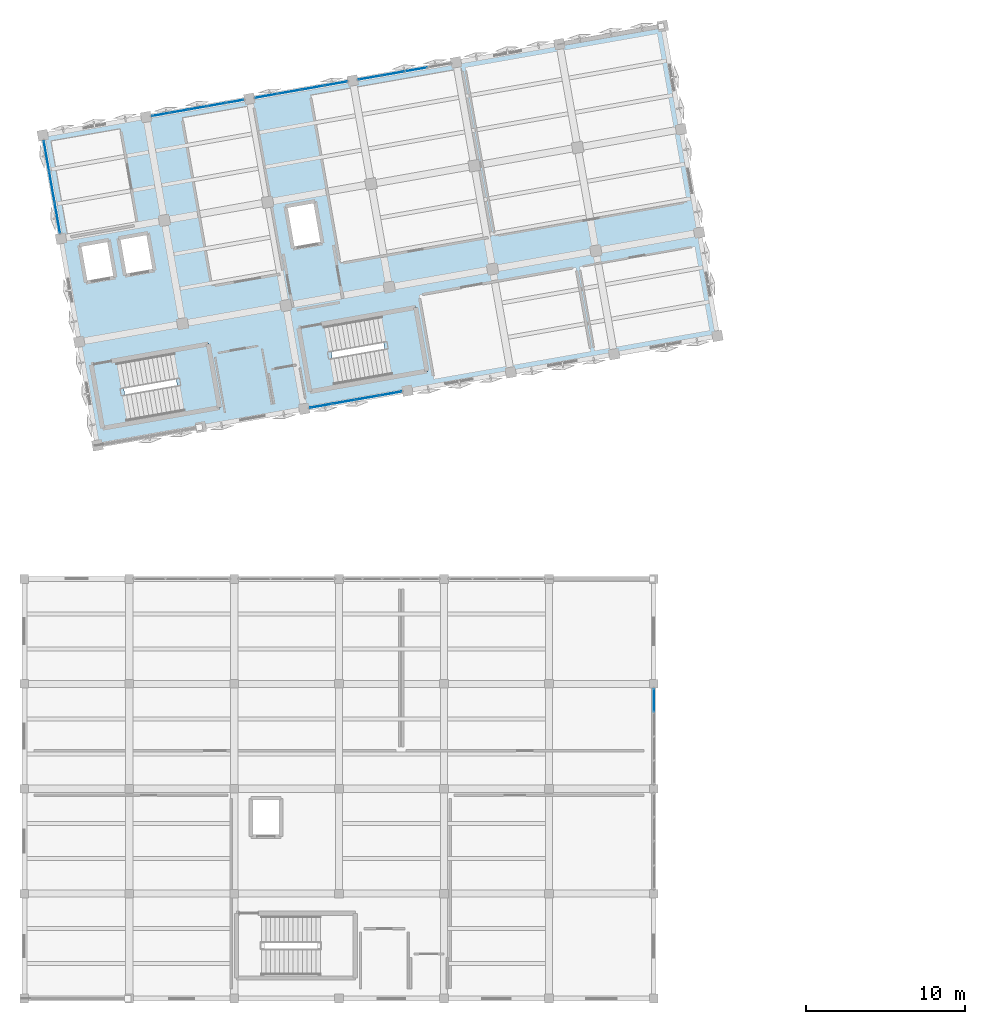
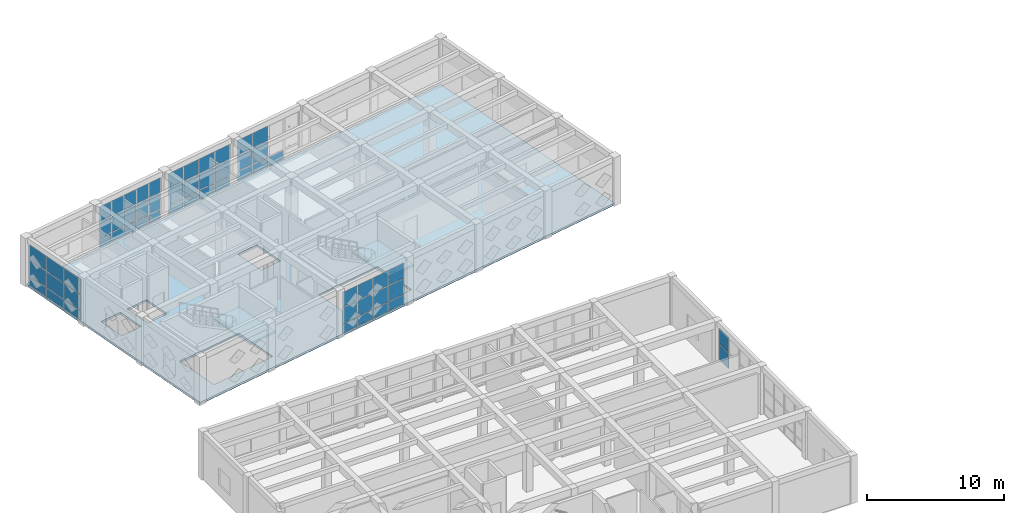
# One storey, part 28 of 48: 57 plates, 3 slabs, 8 elements without a shape of their own.
"""IFC4 building model written with IfcOpenShell, lengths in metres."""

from ifc_helpers import new_model, si_unit, direction, frame, origin, origin_2d, place, context, subcontext, project, spatial, polyline, rectangle, outline, extrude, material, layer, layer_set, type_object, element, aggregate, save


model = new_model("IFC4")

# Units and contexts
model_context = context("Model", 3, precision=1e-05, world=origin(), true_north=direction((0.0, 1.0)))
body_context = subcontext(model_context, "Body", "Model", "MODEL_VIEW")
ifc_project = project(units=[si_unit("LENGTHUNIT", "METRE"), si_unit("AREAUNIT", "SQUARE_METRE"), si_unit("VOLUMEUNIT", "CUBIC_METRE"), si_unit("PLANEANGLEUNIT", "RADIAN"), si_unit("MASSUNIT", "GRAM", prefix="KILO")], contexts=[model_context])

# Site, building, storey
site_placement = place(None, origin())
site = spatial("IfcSite", under=ifc_project, at=site_placement, CompositionType="ELEMENT")
building_placement = place(site_placement, origin())
building = spatial("IfcBuilding", under=site, at=building_placement, Name="Kharisveld Research Institute", CompositionType="ELEMENT")
storey_placement = place(building_placement, frame((0.0, 0.0, 14.10009765625)))
storey = spatial("IfcBuildingStorey", under=building, at=storey_placement, Name="L03", CompositionType="ELEMENT", Elevation=14.10009765625)

# Curtain wall, plates
ifc_material_1 = material(Name="Thermally Broken Aluminium Curtain Wall", Category="aluminium")
ifc_layer_1 = layer(ifc_material_1, 0.159912109375)
ifc_layer_set_1 = layer_set([ifc_layer_1], Name="CW_SYS_06")
curtain_wall_type_1 = type_object("IfcCurtainWallType", Name="CW_SYS_06", PredefinedType="NOTDEFINED", material=ifc_layer_set_1)
curtain_wall_1_placement = place(storey_placement, origin())
curtain_wall_1 = element("IfcCurtainWall", 1, at=curtain_wall_1_placement, inside=storey, type_object=curtain_wall_type_1, Name="CW:V1:L03:W2", PredefinedType="NOTDEFINED")
ifc_material_2 = material(Name="Low-E Double Glazing", Category="glass")
ifc_layer_2 = layer(ifc_material_2, 0.028076171875)
ifc_layer_set_2 = layer_set([ifc_layer_2], Name="CW_PNL_GLZ")
plate_type_1 = type_object("IfcPlateType", Name="CW_PNL_GLZ", PredefinedType="CURTAIN_PANEL", material=ifc_layer_set_2)
plate_1_placement = place(storey_placement, frame((2.6767578125, 49.320068359375, 0.06494140625), z_axis=(0.0, 0.0, 1.0), x_axis=(-0.173648266375, 0.984807737371, 0.0)))
plate_1 = element("IfcPlate", 2, at=plate_1_placement, type_object=plate_type_1, Name="CW-06 panel 1.1", PredefinedType="CURTAIN_PANEL", context=body_context, shape_type="SweptSolid", body=[
    extrude(rectangle(XDim=1.881591796875, YDim=0.028076171875, at=origin_2d()), origin(), (0.0, 0.0, 1.0), 0.802490234375),
])
plate_2_placement = place(storey_placement, frame((2.6767578125, 49.320068359375, 0.9326171875), z_axis=(0.0, 0.0, 1.0), x_axis=(-0.173648266375, 0.984807737371, 0.0)))
plate_2 = element("IfcPlate", 3, at=plate_2_placement, type_object=plate_type_1, Name="CW-06 panel 1.2", PredefinedType="CURTAIN_PANEL", context=body_context, shape_type="SweptSolid", body=[
    extrude(rectangle(XDim=1.881591796875, YDim=0.028076171875, at=origin_2d()), origin(), (0.0, 0.0, 1.0), 1.385009765625),
])
plate_3_placement = place(storey_placement, frame((2.6767578125, 49.320068359375, 2.38232421875), z_axis=(0.0, 0.0, 1.0), x_axis=(-0.173648266375, 0.984807737371, 0.0)))
plate_3 = element("IfcPlate", 4, at=plate_3_placement, type_object=plate_type_1, Name="CW-06 panel 1.3", PredefinedType="CURTAIN_PANEL", context=body_context, shape_type="SweptSolid", body=[
    extrude(rectangle(XDim=1.881591796875, YDim=0.028076171875, at=origin_2d()), origin(), (0.0, 0.0, 1.0), 1.33251953125),
])
plate_4_placement = place(storey_placement, frame((2.334716796875, 51.25927734375, 0.06494140625), z_axis=(0.0, 0.0, 1.0), x_axis=(-0.173648266375, 0.984807737371, 0.0)))
plate_4 = element("IfcPlate", 5, at=plate_4_placement, type_object=plate_type_1, Name="CW-06 panel 2.1", PredefinedType="CURTAIN_PANEL", context=body_context, shape_type="SweptSolid", body=[
    extrude(rectangle(XDim=1.916748046875, YDim=0.028076171875, at=origin_2d()), origin(), (0.0, 0.0, 1.0), 0.802490234375),
])
plate_5_placement = place(storey_placement, frame((2.334716796875, 51.25927734375, 0.9326171875), z_axis=(0.0, 0.0, 1.0), x_axis=(-0.173648266375, 0.984807737371, 0.0)))
plate_5 = element("IfcPlate", 6, at=plate_5_placement, type_object=plate_type_1, Name="CW-06 panel 2.2", PredefinedType="CURTAIN_PANEL", context=body_context, shape_type="SweptSolid", body=[
    extrude(rectangle(XDim=1.916748046875, YDim=0.028076171875, at=origin_2d()), origin(), (0.0, 0.0, 1.0), 1.385009765625),
])
plate_6_placement = place(storey_placement, frame((2.334716796875, 51.25927734375, 2.38232421875), z_axis=(0.0, 0.0, 1.0), x_axis=(-0.173648266375, 0.984807737371, 0.0)))
plate_6 = element("IfcPlate", 7, at=plate_6_placement, type_object=plate_type_1, Name="CW-06 panel 2.3", PredefinedType="CURTAIN_PANEL", context=body_context, shape_type="SweptSolid", body=[
    extrude(rectangle(XDim=1.916748046875, YDim=0.028076171875, at=origin_2d()), origin(), (0.0, 0.0, 1.0), 1.33251953125),
])
plate_7_placement = place(storey_placement, frame((1.992919921875, 53.198486328125, 0.06494140625), z_axis=(0.0, 0.0, 1.0), x_axis=(-0.173648266375, 0.984807737371, 0.0)))
plate_7 = element("IfcPlate", 8, at=plate_7_placement, type_object=plate_type_1, Name="CW-06 panel 3.1", PredefinedType="CURTAIN_PANEL", context=body_context, shape_type="SweptSolid", body=[
    extrude(rectangle(XDim=1.881591796875, YDim=0.028076171875, at=origin_2d()), origin(), (0.0, 0.0, 1.0), 0.802490234375),
])
plate_8_placement = place(storey_placement, frame((1.992919921875, 53.198486328125, 0.9326171875), z_axis=(0.0, 0.0, 1.0), x_axis=(-0.173648266375, 0.984807737371, 0.0)))
plate_8 = element("IfcPlate", 9, at=plate_8_placement, type_object=plate_type_1, Name="CW-06 panel 3.2", PredefinedType="CURTAIN_PANEL", context=body_context, shape_type="SweptSolid", body=[
    extrude(rectangle(XDim=1.881591796875, YDim=0.028076171875, at=origin_2d()), origin(), (0.0, 0.0, 1.0), 1.385009765625),
])
plate_9_placement = place(storey_placement, frame((1.992919921875, 53.198486328125, 2.38232421875), z_axis=(0.0, 0.0, 1.0), x_axis=(-0.173648266375, 0.984807737371, 0.0)))
plate_9 = element("IfcPlate", 10, at=plate_9_placement, type_object=plate_type_1, Name="CW-06 panel 3.3", PredefinedType="CURTAIN_PANEL", context=body_context, shape_type="SweptSolid", body=[
    extrude(rectangle(XDim=1.881591796875, YDim=0.028076171875, at=origin_2d()), origin(), (0.0, 0.0, 1.0), 1.33251953125),
])
aggregate(curtain_wall_1, [plate_1, plate_2, plate_3, plate_4, plate_5, plate_6, plate_7, plate_8, plate_9])

ifc_material_3 = material(Name="Thermally Broken Aluminium Curtain Wall", Category="aluminium")
ifc_layer_3 = layer(ifc_material_3, 0.159912109375)
ifc_layer_set_3 = layer_set([ifc_layer_3], Name="CW_SYS_01")
curtain_wall_type_2 = type_object("IfcCurtainWallType", Name="CW_SYS_01", PredefinedType="NOTDEFINED", material=ifc_layer_set_3)
curtain_wall_2_placement = place(storey_placement, origin())
curtain_wall_2 = element("IfcCurtainWall", 11, at=curtain_wall_2_placement, inside=storey, type_object=curtain_wall_type_2, Name="CW:V1:L03:N1", PredefinedType="NOTDEFINED")
plate_10_placement = place(storey_placement, frame((9.180908203125, 55.8173828125, 0.06494140625), z_axis=(0.0, 0.0, 1.0), x_axis=(0.984807732312, 0.173648295062, 0.0)))
plate_10 = element("IfcPlate", 12, at=plate_10_placement, type_object=plate_type_1, Name="CW-01 panel 1.1", PredefinedType="CURTAIN_PANEL", context=body_context, shape_type="SweptSolid", body=[
    extrude(rectangle(XDim=1.0869140625, YDim=0.028076171875, at=origin_2d()), origin(), (0.0, 0.0, 1.0), 0.802490234375),
])
plate_11_placement = place(storey_placement, frame((9.180908203125, 55.8173828125, 0.9326171875), z_axis=(0.0, 0.0, 1.0), x_axis=(0.984807732312, 0.173648295062, 0.0)))
plate_11 = element("IfcPlate", 13, at=plate_11_placement, type_object=plate_type_1, Name="CW-01 panel 1.2", PredefinedType="CURTAIN_PANEL", context=body_context, shape_type="SweptSolid", body=[
    extrude(rectangle(XDim=1.0869140625, YDim=0.028076171875, at=origin_2d()), origin(), (0.0, 0.0, 1.0), 1.385009765625),
])
plate_12_placement = place(storey_placement, frame((9.180908203125, 55.8173828125, 2.38232421875), z_axis=(0.0, 0.0, 1.0), x_axis=(0.984807732312, 0.173648295062, 0.0)))
plate_12 = element("IfcPlate", 14, at=plate_12_placement, type_object=plate_type_1, Name="CW-01 panel 1.3", PredefinedType="CURTAIN_PANEL", context=body_context, shape_type="SweptSolid", body=[
    extrude(rectangle(XDim=1.0869140625, YDim=0.028076171875, at=origin_2d()), origin(), (0.0, 0.0, 1.0), 1.33251953125),
])
plate_13_placement = place(storey_placement, frame((10.33740234375, 56.021240234375, 0.06494140625), z_axis=(0.0, 0.0, 1.0), x_axis=(0.984807732312, 0.173648295062, 0.0)))
plate_13 = element("IfcPlate", 15, at=plate_13_placement, type_object=plate_type_1, Name="CW-01 panel 2.1", PredefinedType="CURTAIN_PANEL", context=body_context, shape_type="SweptSolid", body=[
    extrude(rectangle(XDim=1.1220703125, YDim=0.028076171875, at=origin_2d()), origin(), (0.0, 0.0, 1.0), 0.802490234375),
])
plate_14_placement = place(storey_placement, frame((10.33740234375, 56.021240234375, 0.9326171875), z_axis=(0.0, 0.0, 1.0), x_axis=(0.984807732312, 0.173648295062, 0.0)))
plate_14 = element("IfcPlate", 16, at=plate_14_placement, type_object=plate_type_1, Name="CW-01 panel 2.2", PredefinedType="CURTAIN_PANEL", context=body_context, shape_type="SweptSolid", body=[
    extrude(rectangle(XDim=1.1220703125, YDim=0.028076171875, at=origin_2d()), origin(), (0.0, 0.0, 1.0), 1.385009765625),
])
plate_15_placement = place(storey_placement, frame((10.33740234375, 56.021240234375, 2.38232421875), z_axis=(0.0, 0.0, 1.0), x_axis=(0.984807732312, 0.173648295062, 0.0)))
plate_15 = element("IfcPlate", 17, at=plate_15_placement, type_object=plate_type_1, Name="CW-01 panel 2.3", PredefinedType="CURTAIN_PANEL", context=body_context, shape_type="SweptSolid", body=[
    extrude(rectangle(XDim=1.1220703125, YDim=0.028076171875, at=origin_2d()), origin(), (0.0, 0.0, 1.0), 1.33251953125),
])
plate_16_placement = place(storey_placement, frame((11.511474609375, 56.228271484375, 0.06494140625), z_axis=(0.0, 0.0, 1.0), x_axis=(0.984807732312, 0.173648295062, 0.0)))
plate_16 = element("IfcPlate", 18, at=plate_16_placement, type_object=plate_type_1, Name="CW-01 panel 3.1", PredefinedType="CURTAIN_PANEL", context=body_context, shape_type="SweptSolid", body=[
    extrude(rectangle(XDim=1.1220703125, YDim=0.028076171875, at=origin_2d()), origin(), (0.0, 0.0, 1.0), 0.802490234375),
])
plate_17_placement = place(storey_placement, frame((11.511474609375, 56.228271484375, 0.9326171875), z_axis=(0.0, 0.0, 1.0), x_axis=(0.984807732312, 0.173648295062, 0.0)))
plate_17 = element("IfcPlate", 19, at=plate_17_placement, type_object=plate_type_1, Name="CW-01 panel 3.2", PredefinedType="CURTAIN_PANEL", context=body_context, shape_type="SweptSolid", body=[
    extrude(rectangle(XDim=1.1220703125, YDim=0.028076171875, at=origin_2d()), origin(), (0.0, 0.0, 1.0), 1.385009765625),
])
plate_18_placement = place(storey_placement, frame((11.511474609375, 56.228271484375, 2.38232421875), z_axis=(0.0, 0.0, 1.0), x_axis=(0.984807732312, 0.173648295062, 0.0)))
plate_18 = element("IfcPlate", 20, at=plate_18_placement, type_object=plate_type_1, Name="CW-01 panel 3.3", PredefinedType="CURTAIN_PANEL", context=body_context, shape_type="SweptSolid", body=[
    extrude(rectangle(XDim=1.1220703125, YDim=0.028076171875, at=origin_2d()), origin(), (0.0, 0.0, 1.0), 1.33251953125),
])
plate_19_placement = place(storey_placement, frame((12.685302734375, 56.435302734375, 0.06494140625), z_axis=(0.0, 0.0, 1.0), x_axis=(0.984807732312, 0.173648295062, 0.0)))
plate_19 = element("IfcPlate", 21, at=plate_19_placement, type_object=plate_type_1, Name="CW-01 panel 4.1", PredefinedType="CURTAIN_PANEL", context=body_context, shape_type="SweptSolid", body=[
    extrude(rectangle(XDim=1.1220703125, YDim=0.028076171875, at=origin_2d()), origin(), (0.0, 0.0, 1.0), 0.802490234375),
])
plate_20_placement = place(storey_placement, frame((12.685302734375, 56.435302734375, 0.9326171875), z_axis=(0.0, 0.0, 1.0), x_axis=(0.984807732312, 0.173648295062, 0.0)))
plate_20 = element("IfcPlate", 22, at=plate_20_placement, type_object=plate_type_1, Name="CW-01 panel 4.2", PredefinedType="CURTAIN_PANEL", context=body_context, shape_type="SweptSolid", body=[
    extrude(rectangle(XDim=1.1220703125, YDim=0.028076171875, at=origin_2d()), origin(), (0.0, 0.0, 1.0), 1.385009765625),
])
plate_21_placement = place(storey_placement, frame((12.685302734375, 56.435302734375, 2.38232421875), z_axis=(0.0, 0.0, 1.0), x_axis=(0.984807732312, 0.173648295062, 0.0)))
plate_21 = element("IfcPlate", 23, at=plate_21_placement, type_object=plate_type_1, Name="CW-01 panel 4.3", PredefinedType="CURTAIN_PANEL", context=body_context, shape_type="SweptSolid", body=[
    extrude(rectangle(XDim=1.1220703125, YDim=0.028076171875, at=origin_2d()), origin(), (0.0, 0.0, 1.0), 1.33251953125),
])
plate_22_placement = place(storey_placement, frame((13.841796875, 56.63916015625, 0.06494140625), z_axis=(0.0, 0.0, 1.0), x_axis=(0.984807732312, 0.173648295062, 0.0)))
plate_22 = element("IfcPlate", 24, at=plate_22_placement, type_object=plate_type_1, Name="CW-01 panel 5.1", PredefinedType="CURTAIN_PANEL", context=body_context, shape_type="SweptSolid", body=[
    extrude(rectangle(XDim=1.0869140625, YDim=0.028076171875, at=origin_2d()), origin(), (0.0, 0.0, 1.0), 0.802490234375),
])
plate_23_placement = place(storey_placement, frame((13.841796875, 56.63916015625, 0.9326171875), z_axis=(0.0, 0.0, 1.0), x_axis=(0.984807732312, 0.173648295062, 0.0)))
plate_23 = element("IfcPlate", 25, at=plate_23_placement, type_object=plate_type_1, Name="CW-01 panel 5.2", PredefinedType="CURTAIN_PANEL", context=body_context, shape_type="SweptSolid", body=[
    extrude(rectangle(XDim=1.0869140625, YDim=0.028076171875, at=origin_2d()), origin(), (0.0, 0.0, 1.0), 1.385009765625),
])
plate_24_placement = place(storey_placement, frame((13.841796875, 56.63916015625, 2.38232421875), z_axis=(0.0, 0.0, 1.0), x_axis=(0.984807732312, 0.173648295062, 0.0)))
plate_24 = element("IfcPlate", 26, at=plate_24_placement, type_object=plate_type_1, Name="CW-01 panel 5.3", PredefinedType="CURTAIN_PANEL", context=body_context, shape_type="SweptSolid", body=[
    extrude(rectangle(XDim=1.0869140625, YDim=0.028076171875, at=origin_2d()), origin(), (0.0, 0.0, 1.0), 1.33251953125),
])
aggregate(curtain_wall_2, [plate_10, plate_11, plate_12, plate_13, plate_14, plate_15, plate_16, plate_17, plate_18, plate_19, plate_20, plate_21, plate_22, plate_23, plate_24])

ifc_material_4 = material(Name="Thermally Broken Aluminium Curtain Wall", Category="aluminium")
ifc_layer_4 = layer(ifc_material_4, 0.159912109375)
ifc_layer_set_4 = layer_set([ifc_layer_4], Name="CW_SYS_02")
curtain_wall_type_3 = type_object("IfcCurtainWallType", Name="CW_SYS_02", PredefinedType="NOTDEFINED", material=ifc_layer_set_4)
curtain_wall_3_placement = place(storey_placement, origin())
curtain_wall_3 = element("IfcCurtainWall", 27, at=curtain_wall_3_placement, inside=storey, type_object=curtain_wall_type_3, Name="CW:V1:L03:N2", PredefinedType="NOTDEFINED")
plate_25_placement = place(storey_placement, frame((15.827392578125, 56.9892578125, 0.06494140625), z_axis=(0.0, 0.0, 1.0), x_axis=(0.984807737371, 0.173648266375, 0.0)))
plate_25 = element("IfcPlate", 28, at=plate_25_placement, type_object=plate_type_1, Name="CW-02 panel 1.1", PredefinedType="CURTAIN_PANEL", context=body_context, shape_type="SweptSolid", body=[
    extrude(rectangle(XDim=1.385009765625, YDim=0.028076171875, at=origin_2d()), origin(), (0.0, 0.0, 1.0), 0.802490234375),
])
plate_26_placement = place(storey_placement, frame((15.827392578125, 56.9892578125, 0.9326171875), z_axis=(0.0, 0.0, 1.0), x_axis=(0.984807737371, 0.173648266375, 0.0)))
plate_26 = element("IfcPlate", 29, at=plate_26_placement, type_object=plate_type_1, Name="CW-02 panel 1.2", PredefinedType="CURTAIN_PANEL", context=body_context, shape_type="SweptSolid", body=[
    extrude(rectangle(XDim=1.385009765625, YDim=0.028076171875, at=origin_2d()), origin(), (0.0, 0.0, 1.0), 1.385009765625),
])
plate_27_placement = place(storey_placement, frame((15.827392578125, 56.9892578125, 2.38232421875), z_axis=(0.0, 0.0, 1.0), x_axis=(0.984807737371, 0.173648266375, 0.0)))
plate_27 = element("IfcPlate", 30, at=plate_27_placement, type_object=plate_type_1, Name="CW-02 panel 1.3", PredefinedType="CURTAIN_PANEL", context=body_context, shape_type="SweptSolid", body=[
    extrude(rectangle(XDim=1.385009765625, YDim=0.028076171875, at=origin_2d()), origin(), (0.0, 0.0, 1.0), 1.33251953125),
])
plate_28_placement = place(storey_placement, frame((17.27734375, 57.2451171875, 0.06494140625), z_axis=(0.0, 0.0, 1.0), x_axis=(0.984807737371, 0.173648266375, 0.0)))
plate_28 = element("IfcPlate", 31, at=plate_28_placement, type_object=plate_type_1, Name="CW-02 panel 2.1", PredefinedType="CURTAIN_PANEL", context=body_context, shape_type="SweptSolid", body=[
    extrude(rectangle(XDim=1.419921875, YDim=0.028076171875, at=origin_2d()), origin(), (0.0, 0.0, 1.0), 0.802490234375),
])
plate_29_placement = place(storey_placement, frame((17.27734375, 57.2451171875, 0.9326171875), z_axis=(0.0, 0.0, 1.0), x_axis=(0.984807737371, 0.173648266375, 0.0)))
plate_29 = element("IfcPlate", 32, at=plate_29_placement, type_object=plate_type_1, Name="CW-02 panel 2.2", PredefinedType="CURTAIN_PANEL", context=body_context, shape_type="SweptSolid", body=[
    extrude(rectangle(XDim=1.419921875, YDim=0.028076171875, at=origin_2d()), origin(), (0.0, 0.0, 1.0), 1.385009765625),
])
plate_30_placement = place(storey_placement, frame((17.27734375, 57.2451171875, 2.38232421875), z_axis=(0.0, 0.0, 1.0), x_axis=(0.984807737371, 0.173648266375, 0.0)))
plate_30 = element("IfcPlate", 33, at=plate_30_placement, type_object=plate_type_1, Name="CW-02 panel 2.3", PredefinedType="CURTAIN_PANEL", context=body_context, shape_type="SweptSolid", body=[
    extrude(rectangle(XDim=1.419921875, YDim=0.028076171875, at=origin_2d()), origin(), (0.0, 0.0, 1.0), 1.33251953125),
])
plate_31_placement = place(storey_placement, frame((18.744873046875, 57.503662109375, 0.06494140625), z_axis=(0.0, 0.0, 1.0), x_axis=(0.984807737371, 0.173648266375, 0.0)))
plate_31 = element("IfcPlate", 34, at=plate_31_placement, type_object=plate_type_1, Name="CW-02 panel 3.1", PredefinedType="CURTAIN_PANEL", context=body_context, shape_type="SweptSolid", body=[
    extrude(rectangle(XDim=1.419921875, YDim=0.028076171875, at=origin_2d()), origin(), (0.0, 0.0, 1.0), 0.802490234375),
])
plate_32_placement = place(storey_placement, frame((18.744873046875, 57.503662109375, 0.9326171875), z_axis=(0.0, 0.0, 1.0), x_axis=(0.984807737371, 0.173648266375, 0.0)))
plate_32 = element("IfcPlate", 35, at=plate_32_placement, type_object=plate_type_1, Name="CW-02 panel 3.2", PredefinedType="CURTAIN_PANEL", context=body_context, shape_type="SweptSolid", body=[
    extrude(rectangle(XDim=1.419921875, YDim=0.028076171875, at=origin_2d()), origin(), (0.0, 0.0, 1.0), 1.385009765625),
])
plate_33_placement = place(storey_placement, frame((18.744873046875, 57.503662109375, 2.38232421875), z_axis=(0.0, 0.0, 1.0), x_axis=(0.984807737371, 0.173648266375, 0.0)))
plate_33 = element("IfcPlate", 36, at=plate_33_placement, type_object=plate_type_1, Name="CW-02 panel 3.3", PredefinedType="CURTAIN_PANEL", context=body_context, shape_type="SweptSolid", body=[
    extrude(rectangle(XDim=1.419921875, YDim=0.028076171875, at=origin_2d()), origin(), (0.0, 0.0, 1.0), 1.33251953125),
])
plate_34_placement = place(storey_placement, frame((20.19482421875, 57.759521484375, 0.06494140625), z_axis=(0.0, 0.0, 1.0), x_axis=(0.984807737371, 0.173648266375, 0.0)))
plate_34 = element("IfcPlate", 37, at=plate_34_placement, type_object=plate_type_1, Name="CW-02 panel 4.1", PredefinedType="CURTAIN_PANEL", context=body_context, shape_type="SweptSolid", body=[
    extrude(rectangle(XDim=1.385009765625, YDim=0.028076171875, at=origin_2d()), origin(), (0.0, 0.0, 1.0), 0.802490234375),
])
plate_35_placement = place(storey_placement, frame((20.19482421875, 57.759521484375, 0.9326171875), z_axis=(0.0, 0.0, 1.0), x_axis=(0.984807737371, 0.173648266375, 0.0)))
plate_35 = element("IfcPlate", 38, at=plate_35_placement, type_object=plate_type_1, Name="CW-02 panel 4.2", PredefinedType="CURTAIN_PANEL", context=body_context, shape_type="SweptSolid", body=[
    extrude(rectangle(XDim=1.385009765625, YDim=0.028076171875, at=origin_2d()), origin(), (0.0, 0.0, 1.0), 1.385009765625),
])
plate_36_placement = place(storey_placement, frame((20.19482421875, 57.759521484375, 2.38232421875), z_axis=(0.0, 0.0, 1.0), x_axis=(0.984807737371, 0.173648266375, 0.0)))
plate_36 = element("IfcPlate", 39, at=plate_36_placement, type_object=plate_type_1, Name="CW-02 panel 4.3", PredefinedType="CURTAIN_PANEL", context=body_context, shape_type="SweptSolid", body=[
    extrude(rectangle(XDim=1.385009765625, YDim=0.028076171875, at=origin_2d()), origin(), (0.0, 0.0, 1.0), 1.33251953125),
])
aggregate(curtain_wall_3, [plate_25, plate_26, plate_27, plate_28, plate_29, plate_30, plate_31, plate_32, plate_33, plate_34, plate_35, plate_36])

ifc_material_5 = material(Name="Thermally Broken Aluminium Curtain Wall", Category="aluminium")
ifc_layer_5 = layer(ifc_material_5, 0.159912109375)
ifc_layer_set_5 = layer_set([ifc_layer_5], Name="CW_SYS_03")
curtain_wall_type_4 = type_object("IfcCurtainWallType", Name="CW_SYS_03", PredefinedType="NOTDEFINED", material=ifc_layer_set_5)
curtain_wall_4_placement = place(storey_placement, origin())
curtain_wall_4 = element("IfcCurtainWall", 40, at=curtain_wall_4_placement, inside=storey, type_object=curtain_wall_type_4, Name="CW:V1:L03:N3", PredefinedType="NOTDEFINED")
plate_37_placement = place(storey_placement, frame((22.326904296875, 58.135498046875, 0.06494140625), z_axis=(0.0, 0.0, 1.0), x_axis=(0.984807732312, 0.173648295062, 0.0)))
plate_37 = element("IfcPlate", 41, at=plate_37_placement, type_object=plate_type_1, Name="CW-03 panel 1.1", PredefinedType="CURTAIN_PANEL", context=body_context, shape_type="SweptSolid", body=[
    extrude(rectangle(XDim=1.385009765625, YDim=0.028076171875, at=origin_2d()), origin(), (0.0, 0.0, 1.0), 0.802490234375),
])
plate_38_placement = place(storey_placement, frame((22.326904296875, 58.135498046875, 0.9326171875), z_axis=(0.0, 0.0, 1.0), x_axis=(0.984807732312, 0.173648295062, 0.0)))
plate_38 = element("IfcPlate", 42, at=plate_38_placement, type_object=plate_type_1, Name="CW-03 panel 1.2", PredefinedType="CURTAIN_PANEL", context=body_context, shape_type="SweptSolid", body=[
    extrude(rectangle(XDim=1.385009765625, YDim=0.028076171875, at=origin_2d()), origin(), (0.0, 0.0, 1.0), 1.385009765625),
])
plate_39_placement = place(storey_placement, frame((22.326904296875, 58.135498046875, 2.38232421875), z_axis=(0.0, 0.0, 1.0), x_axis=(0.984807732312, 0.173648295062, 0.0)))
plate_39 = element("IfcPlate", 43, at=plate_39_placement, type_object=plate_type_1, Name="CW-03 panel 1.3", PredefinedType="CURTAIN_PANEL", context=body_context, shape_type="SweptSolid", body=[
    extrude(rectangle(XDim=1.385009765625, YDim=0.028076171875, at=origin_2d()), origin(), (0.0, 0.0, 1.0), 1.33251953125),
])
plate_40_placement = place(storey_placement, frame((23.777099609375, 58.39111328125, 0.06494140625), z_axis=(0.0, 0.0, 1.0), x_axis=(0.984807732312, 0.173648295062, 0.0)))
plate_40 = element("IfcPlate", 44, at=plate_40_placement, type_object=plate_type_1, Name="CW-03 panel 2.1", PredefinedType="CURTAIN_PANEL", context=body_context, shape_type="SweptSolid", body=[
    extrude(rectangle(XDim=1.419921875, YDim=0.028076171875, at=origin_2d()), origin(), (0.0, 0.0, 1.0), 0.802490234375),
])
plate_41_placement = place(storey_placement, frame((23.777099609375, 58.39111328125, 0.9326171875), z_axis=(0.0, 0.0, 1.0), x_axis=(0.984807732312, 0.173648295062, 0.0)))
plate_41 = element("IfcPlate", 45, at=plate_41_placement, type_object=plate_type_1, Name="CW-03 panel 2.2", PredefinedType="CURTAIN_PANEL", context=body_context, shape_type="SweptSolid", body=[
    extrude(rectangle(XDim=1.419921875, YDim=0.028076171875, at=origin_2d()), origin(), (0.0, 0.0, 1.0), 1.385009765625),
])
plate_42_placement = place(storey_placement, frame((23.777099609375, 58.39111328125, 2.38232421875), z_axis=(0.0, 0.0, 1.0), x_axis=(0.984807732312, 0.173648295062, 0.0)))
plate_42 = element("IfcPlate", 46, at=plate_42_placement, type_object=plate_type_1, Name="CW-03 panel 2.3", PredefinedType="CURTAIN_PANEL", context=body_context, shape_type="SweptSolid", body=[
    extrude(rectangle(XDim=1.419921875, YDim=0.028076171875, at=origin_2d()), origin(), (0.0, 0.0, 1.0), 1.33251953125),
])
plate_43_placement = place(storey_placement, frame((25.24462890625, 58.64990234375, 0.06494140625), z_axis=(0.0, 0.0, 1.0), x_axis=(0.984807732312, 0.173648295062, 0.0)))
plate_43 = element("IfcPlate", 47, at=plate_43_placement, type_object=plate_type_1, Name="CW-03 panel 3.1", PredefinedType="CURTAIN_PANEL", context=body_context, shape_type="SweptSolid", body=[
    extrude(rectangle(XDim=1.419921875, YDim=0.028076171875, at=origin_2d()), origin(), (0.0, 0.0, 1.0), 0.802490234375),
])
aggregate(curtain_wall_4, [plate_37, plate_38, plate_39, plate_40, plate_41, plate_42, plate_43])

ifc_material_6 = material(Name="Thermally Broken Aluminium Curtain Wall", Category="aluminium")
ifc_layer_6 = layer(ifc_material_6, 0.159912109375)
ifc_layer_set_6 = layer_set([ifc_layer_6], Name="CW_SYS_04")
curtain_wall_type_5 = type_object("IfcCurtainWallType", Name="CW_SYS_04", PredefinedType="NOTDEFINED", material=ifc_layer_set_6)
curtain_wall_5_placement = place(storey_placement, origin())
curtain_wall_5 = element("IfcCurtainWall", 48, at=curtain_wall_5_placement, inside=storey, type_object=curtain_wall_type_5, Name="CW:V1:L03:S3", PredefinedType="NOTDEFINED")
ifc_material_7 = material(Name="Insulated Spandrel Glazing", Category="glass")
ifc_layer_7 = layer(ifc_material_7, 0.035888671875)
ifc_layer_set_7 = layer_set([ifc_layer_7], Name="CW_PNL_SPD")
plate_type_2 = type_object("IfcPlateType", Name="CW_PNL_SPD", PredefinedType="CURTAIN_PANEL", material=ifc_layer_set_7)
plate_44_placement = place(storey_placement, frame((23.633056640625, 38.26025390625, 0.06494140625), z_axis=(0.0, 0.0, 1.0), x_axis=(-0.984807737371, -0.173648266375, 0.0)))
plate_44 = element("IfcPlate", 49, at=plate_44_placement, type_object=plate_type_2, Name="CW-04 panel 1.1", PredefinedType="CURTAIN_PANEL", context=body_context, shape_type="SweptSolid", body=[
    extrude(rectangle(XDim=1.385009765625, YDim=0.035888671875, at=origin_2d()), origin(), (0.0, 0.0, 1.0), 0.802490234375),
])
plate_45_placement = place(storey_placement, frame((23.633056640625, 38.26025390625, 0.9326171875), z_axis=(0.0, 0.0, 1.0), x_axis=(-0.984807737371, -0.173648266375, 0.0)))
plate_45 = element("IfcPlate", 50, at=plate_45_placement, type_object=plate_type_2, Name="CW-04 panel 1.2", PredefinedType="CURTAIN_PANEL", context=body_context, shape_type="SweptSolid", body=[
    extrude(rectangle(XDim=1.385009765625, YDim=0.035888671875, at=origin_2d()), origin(), (0.0, 0.0, 1.0), 1.385009765625),
])
plate_46_placement = place(storey_placement, frame((23.633056640625, 38.26025390625, 2.38232421875), z_axis=(0.0, 0.0, 1.0), x_axis=(-0.984807737371, -0.173648266375, 0.0)))
plate_46 = element("IfcPlate", 51, at=plate_46_placement, type_object=plate_type_2, Name="CW-04 panel 1.3", PredefinedType="CURTAIN_PANEL", context=body_context, shape_type="SweptSolid", body=[
    extrude(rectangle(XDim=1.385009765625, YDim=0.035888671875, at=origin_2d()), origin(), (0.0, 0.0, 1.0), 1.33251953125),
])
plate_47_placement = place(storey_placement, frame((22.18310546875, 38.004638671875, 0.06494140625), z_axis=(0.0, 0.0, 1.0), x_axis=(-0.984807737371, -0.173648266375, 0.0)))
plate_47 = element("IfcPlate", 52, at=plate_47_placement, type_object=plate_type_2, Name="CW-04 panel 2.1", PredefinedType="CURTAIN_PANEL", context=body_context, shape_type="SweptSolid", body=[
    extrude(rectangle(XDim=1.419921875, YDim=0.035888671875, at=origin_2d()), origin(), (0.0, 0.0, 1.0), 0.802490234375),
])
plate_48_placement = place(storey_placement, frame((22.18310546875, 38.004638671875, 0.9326171875), z_axis=(0.0, 0.0, 1.0), x_axis=(-0.984807737371, -0.173648266375, 0.0)))
plate_48 = element("IfcPlate", 53, at=plate_48_placement, type_object=plate_type_2, Name="CW-04 panel 2.2", PredefinedType="CURTAIN_PANEL", context=body_context, shape_type="SweptSolid", body=[
    extrude(rectangle(XDim=1.419921875, YDim=0.035888671875, at=origin_2d()), origin(), (0.0, 0.0, 1.0), 1.385009765625),
])
plate_49_placement = place(storey_placement, frame((22.18310546875, 38.004638671875, 2.38232421875), z_axis=(0.0, 0.0, 1.0), x_axis=(-0.984807737371, -0.173648266375, 0.0)))
plate_49 = element("IfcPlate", 54, at=plate_49_placement, type_object=plate_type_2, Name="CW-04 panel 2.3", PredefinedType="CURTAIN_PANEL", context=body_context, shape_type="SweptSolid", body=[
    extrude(rectangle(XDim=1.419921875, YDim=0.035888671875, at=origin_2d()), origin(), (0.0, 0.0, 1.0), 1.33251953125),
])
plate_50_placement = place(storey_placement, frame((20.715576171875, 37.745849609375, 0.06494140625), z_axis=(0.0, 0.0, 1.0), x_axis=(-0.984807737371, -0.173648266375, 0.0)))
plate_50 = element("IfcPlate", 55, at=plate_50_placement, type_object=plate_type_2, Name="CW-04 panel 3.1", PredefinedType="CURTAIN_PANEL", context=body_context, shape_type="SweptSolid", body=[
    extrude(rectangle(XDim=1.419921875, YDim=0.035888671875, at=origin_2d()), origin(), (0.0, 0.0, 1.0), 0.802490234375),
])
plate_51_placement = place(storey_placement, frame((20.715576171875, 37.745849609375, 0.9326171875), z_axis=(0.0, 0.0, 1.0), x_axis=(-0.984807737371, -0.173648266375, 0.0)))
plate_51 = element("IfcPlate", 56, at=plate_51_placement, type_object=plate_type_2, Name="CW-04 panel 3.2", PredefinedType="CURTAIN_PANEL", context=body_context, shape_type="SweptSolid", body=[
    extrude(rectangle(XDim=1.419921875, YDim=0.035888671875, at=origin_2d()), origin(), (0.0, 0.0, 1.0), 1.385009765625),
])
plate_52_placement = place(storey_placement, frame((20.715576171875, 37.745849609375, 2.38232421875), z_axis=(0.0, 0.0, 1.0), x_axis=(-0.984807737371, -0.173648266375, 0.0)))
plate_52 = element("IfcPlate", 57, at=plate_52_placement, type_object=plate_type_2, Name="CW-04 panel 3.3", PredefinedType="CURTAIN_PANEL", context=body_context, shape_type="SweptSolid", body=[
    extrude(rectangle(XDim=1.419921875, YDim=0.035888671875, at=origin_2d()), origin(), (0.0, 0.0, 1.0), 1.33251953125),
])
plate_53_placement = place(storey_placement, frame((19.265625, 37.490234375, 0.06494140625), z_axis=(0.0, 0.0, 1.0), x_axis=(-0.984807737371, -0.173648266375, 0.0)))
plate_53 = element("IfcPlate", 58, at=plate_53_placement, type_object=plate_type_2, Name="CW-04 panel 4.1", PredefinedType="CURTAIN_PANEL", context=body_context, shape_type="SweptSolid", body=[
    extrude(rectangle(XDim=1.385009765625, YDim=0.035888671875, at=origin_2d()), origin(), (0.0, 0.0, 1.0), 0.802490234375),
])
plate_54_placement = place(storey_placement, frame((19.265625, 37.490234375, 0.9326171875), z_axis=(0.0, 0.0, 1.0), x_axis=(-0.984807737371, -0.173648266375, 0.0)))
plate_54 = element("IfcPlate", 59, at=plate_54_placement, type_object=plate_type_2, Name="CW-04 panel 4.2", PredefinedType="CURTAIN_PANEL", context=body_context, shape_type="SweptSolid", body=[
    extrude(rectangle(XDim=1.385009765625, YDim=0.035888671875, at=origin_2d()), origin(), (0.0, 0.0, 1.0), 1.385009765625),
])
plate_55_placement = place(storey_placement, frame((19.265625, 37.490234375, 2.38232421875), z_axis=(0.0, 0.0, 1.0), x_axis=(-0.984807737371, -0.173648266375, 0.0)))
plate_55 = element("IfcPlate", 60, at=plate_55_placement, type_object=plate_type_2, Name="CW-04 panel 4.3", PredefinedType="CURTAIN_PANEL", context=body_context, shape_type="SweptSolid", body=[
    extrude(rectangle(XDim=1.385009765625, YDim=0.035888671875, at=origin_2d()), origin(), (0.0, 0.0, 1.0), 1.33251953125),
])
aggregate(curtain_wall_5, [plate_44, plate_45, plate_46, plate_47, plate_48, plate_49, plate_50, plate_51, plate_52, plate_53, plate_54, plate_55])

curtain_wall_6_placement = place(storey_placement, origin())
curtain_wall_6 = element("IfcCurtainWall", 61, at=curtain_wall_6_placement, inside=storey, type_object=curtain_wall_type_4, Name="CW:V3:L03:E3", PredefinedType="NOTDEFINED")
plate_56_placement = place(storey_placement, frame((40.199951171875, 18.956298828125, 0.93017578125), z_axis=(0.0, 0.0, 1.0), x_axis=(0.0, -1.0, 0.0)))
plate_56 = element("IfcPlate", 62, at=plate_56_placement, type_object=plate_type_2, Name="CW-03 panel 1.2", PredefinedType="CURTAIN_PANEL", context=body_context, shape_type="SweptSolid", body=[
    extrude(rectangle(XDim=1.41748046875, YDim=0.035888671875, at=origin_2d()), origin(), (0.0, 0.0, 1.0), 1.389892578125),
])
plate_57_placement = place(storey_placement, frame((40.199951171875, 18.956298828125, 2.3798828125), z_axis=(0.0, 0.0, 1.0), x_axis=(0.0, -1.0, 0.0)))
plate_57 = element("IfcPlate", 63, at=plate_57_placement, type_object=plate_type_2, Name="CW-03 panel 1.3", PredefinedType="CURTAIN_PANEL", context=body_context, shape_type="SweptSolid", body=[
    extrude(rectangle(XDim=1.41748046875, YDim=0.035888671875, at=origin_2d()), origin(), (0.0, 0.0, 1.0), 1.340087890625),
])
aggregate(curtain_wall_6, [plate_56, plate_57])

# Slab
ifc_material_8 = material(Name="Concrete C40/50", Category="concrete")
ifc_layer_8 = layer(ifc_material_8, 0.179931640625)
ifc_layer_set_8 = layer_set([ifc_layer_8], Name="SL_FLR_180")
slab_type_1 = type_object("IfcSlabType", Name="SL_FLR_180", PredefinedType="FLOOR", material=ifc_layer_set_8)
slab_1_placement = place(storey_placement, frame((0.0, 0.0, -0.18017578125)))
element("IfcSlab", 64, at=slab_1_placement, inside=storey, type_object=slab_type_1, Name="SLAB:V1:L03:MAIN", PredefinedType="FLOOR", context=body_context, shape_type="SweptSolid", body=[
    extrude(outline(polyline([(5.199951171875, 35.010009765625), (44.198486328125, 41.886474609375), (40.76025390625, 61.3857421875), (1.76171875, 54.50927734375), (5.199951171875, 35.010009765625)]), holes=[polyline([(12.73974609375, 37.45654296875), (7.224853515625, 36.48388671875), (6.554443359375, 40.285400390625), (12.0693359375, 41.2578125), (12.73974609375, 37.45654296875)]), polyline([(25.788330078125, 39.75732421875), (20.2734375, 38.784912109375), (19.603271484375, 42.586181640625), (25.1181640625, 43.55859375), (25.788330078125, 39.75732421875)]), polyline([(6.29931640625, 45.591552734375), (4.487060546875, 45.272216796875), (4.080810546875, 47.57666015625), (5.892822265625, 47.89599609375), (6.29931640625, 45.591552734375)]), polyline([(6.94921875, 45.706298828125), (6.54296875, 48.0107421875), (8.35498046875, 48.330322265625), (8.76123046875, 46.025634765625), (6.94921875, 45.706298828125)]), polyline([(17.5126953125, 47.41650390625), (17.05419921875, 50.016357421875), (18.8662109375, 50.3359375), (19.32470703125, 47.736083984375), (17.5126953125, 47.41650390625)])]), origin(), (0.0, 0.0, 1.0), 0.18017578125),
])

# Stair, slab
ifc_material_9 = material(Name="Concrete C40/50", Category="concrete")
stair_type = type_object("IfcStairType", Name="ST_EXIT_170", PredefinedType="TWO_STRAIGHT_RUN_STAIR", material=ifc_material_9)
stair_1_placement = place(storey_placement, origin())
stair_1 = element("IfcStair", 65, at=stair_1_placement, inside=storey, type_object=stair_type, Name="STR:ST1:L03", PredefinedType="TWO_STRAIGHT_RUN_STAIR")
ifc_material_10 = material(Name="Concrete C40/50", Category="concrete")
ifc_layer_9 = layer(ifc_material_10, 0.179931640625)
ifc_layer_set_9 = layer_set([ifc_layer_9], Name="SL_LND_180")
slab_type_2 = type_object("IfcSlabType", Name="SL_LND_180", PredefinedType="LANDING", material=ifc_layer_set_9)
slab_2_placement = place(storey_placement, frame((0.0, 0.0, 2.06982421875)))
slab_2 = element("IfcSlab", 66, at=slab_2_placement, type_object=slab_type_2, Name="ST-01 landing 1", PredefinedType="LANDING", context=body_context, shape_type="SweptSolid", body=[
    extrude(outline(polyline([(10.54150390625, 36.936767578125), (12.909912109375, 37.3544921875), (12.194580078125, 41.411865234375), (9.826171875, 40.994140625), (10.54150390625, 36.936767578125)])), origin(), (0.0, 0.0, 1.0), 0.18017578125),
])
aggregate(stair_1, [slab_2])

stair_2_placement = place(storey_placement, origin())
stair_2 = element("IfcStair", 67, at=stair_2_placement, inside=storey, type_object=stair_type, Name="STR:ST2:L03", PredefinedType="TWO_STRAIGHT_RUN_STAIR")
slab_3_placement = place(storey_placement, frame((0.0, 0.0, 2.06982421875)))
slab_3 = element("IfcSlab", 68, at=slab_3_placement, type_object=slab_type_2, Name="ST-02 landing 1", PredefinedType="LANDING", context=body_context, shape_type="SweptSolid", body=[
    extrude(outline(polyline([(23.59033203125, 39.237548828125), (25.958740234375, 39.6552734375), (25.243408203125, 43.712646484375), (22.874755859375, 43.295166015625), (23.59033203125, 39.237548828125)])), origin(), (0.0, 0.0, 1.0), 0.18017578125),
])
aggregate(stair_2, [slab_3])

save(model, "model.ifc")
